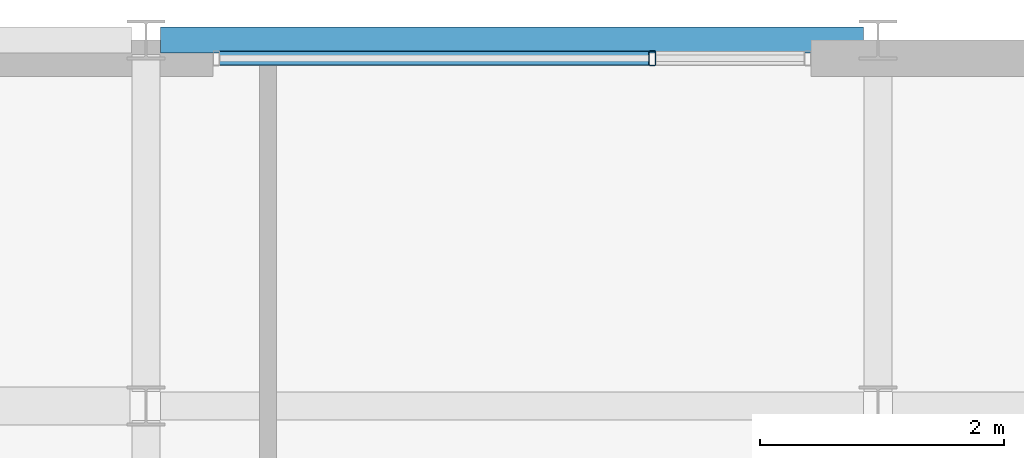
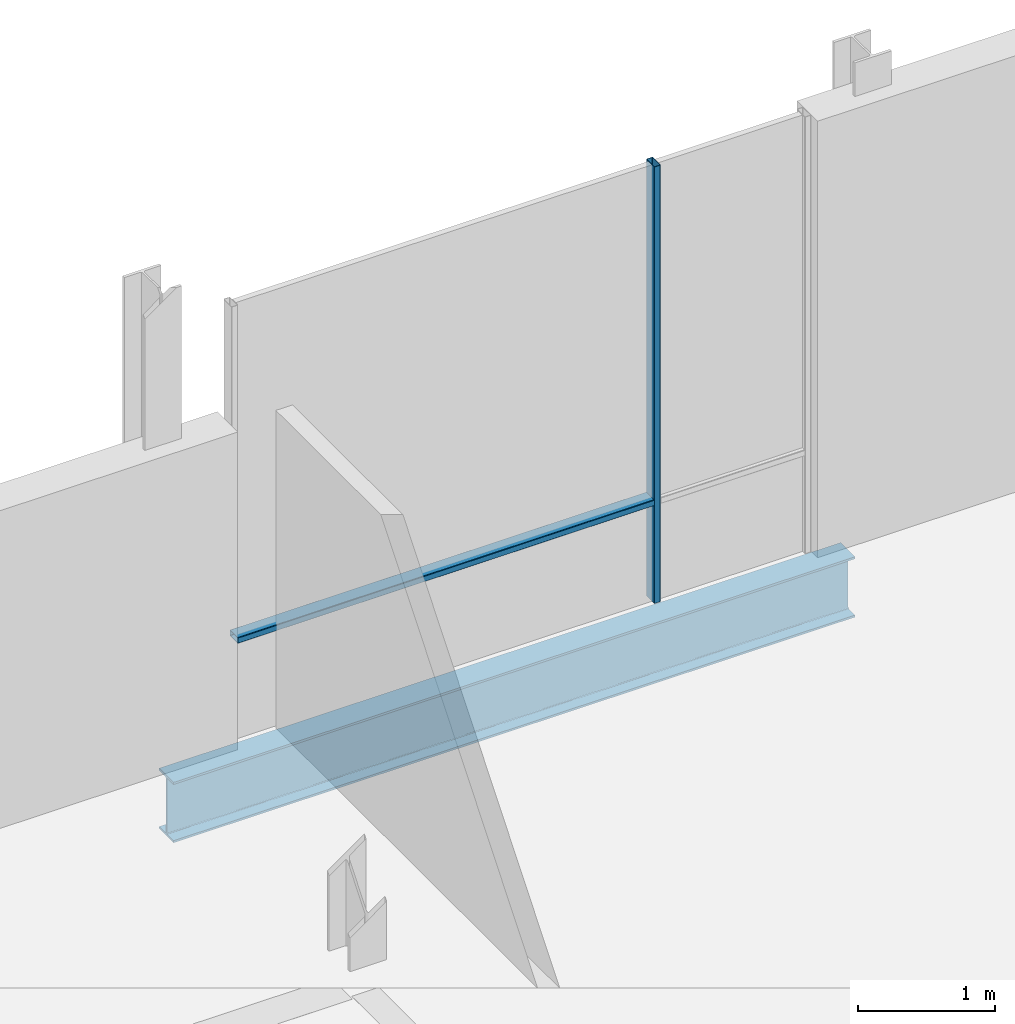
# One storey, part 5 of 11: 2 members, 1 beam, 1 element without a shape of its own.
"""IFC4 building model written with IfcOpenShell, lengths in metres."""

from ifc_helpers import new_model, si_unit, direction, frame, origin, origin_2d, place, context, subcontext, project, spatial, hollow_rectangle, i_section, extrude, material, layer, layer_set, material_profile, profile_set, type_object, element, aggregate, save


model = new_model("IFC4")

# Units and contexts
model_context = context("Model", 3, precision=1e-05, world=origin(), true_north=direction((0.0, 1.0)))
body_context = subcontext(model_context, "Body", "Model", "MODEL_VIEW")
ifc_project = project(units=[si_unit("LENGTHUNIT", "METRE"), si_unit("AREAUNIT", "SQUARE_METRE"), si_unit("VOLUMEUNIT", "CUBIC_METRE"), si_unit("PLANEANGLEUNIT", "RADIAN"), si_unit("MASSUNIT", "GRAM", prefix="KILO")], contexts=[model_context])

# Site, building, storey
site_placement = place(None, origin())
site = spatial("IfcSite", under=ifc_project, at=site_placement, CompositionType="ELEMENT")
building_placement = place(site_placement, origin())
building = spatial("IfcBuilding", under=site, at=building_placement, Name="Brevholm Reach", CompositionType="ELEMENT")
storey_placement = place(building_placement, frame((0.0, 0.0, 247.25)))
storey = spatial("IfcBuildingStorey", under=building, at=storey_placement, Name="L75", CompositionType="ELEMENT", Elevation=247.25)

# Beam
ifc_material_1 = material(Name="Structural Steel S355J2", Category="steel")
ifc_material_profile_1 = material_profile(ifc_material_1, i_section(OverallWidth=0.210693359375, OverallDepth=0.53955078125, WebThickness=0.01171875, FlangeThickness=0.018798828125, FilletRadius=0.0126953125, at=origin_2d()), Name="UKB 533x210x109")
ifc_profile_set_1 = profile_set([ifc_material_profile_1], Name="Structural Steel S355J2")
beam_type = type_object("IfcBeamType", Name="BM-SP539", PredefinedType="SPANDREL", material=ifc_profile_set_1)
beam_placement = place(storey_placement, frame((48.1201171875, 26.5, -0.52978515625), z_axis=(1.0, 0.0, 0.0), x_axis=(0.0, 1.0, 0.0)))
element("IfcBeam", 1, at=beam_placement, inside=storey, type_object=beam_type, Name="L75 SP-01B Framing Beam", PredefinedType="SPANDREL", context=body_context, shape_type="SweptSolid", body=[
    extrude(i_section(OverallWidth=0.210693359375, OverallDepth=0.53955078125, WebThickness=0.01171875, FlangeThickness=0.018798828125, FilletRadius=0.0126953125, at=origin_2d()), origin(), (0.0, 0.0, 1.0), 5.759765625),
])

# Curtain wall, members
ifc_material_2 = material(Name="Dark Anodised Aluminium 6063-T6 and Solar-Control Glass", Category="aluminium")
ifc_layer = layer(ifc_material_2, 0.1201171875)
ifc_layer_set = layer_set([ifc_layer], Name="Dark Anodised Aluminium 6063-T6 and Solar-Control Glass")
curtain_wall_type = type_object("IfcCurtainWallType", Name="CW-06", PredefinedType="NOTDEFINED", material=ifc_layer_set)
curtain_wall_placement = place(storey_placement, origin())
curtain_wall = element("IfcCurtainWall", 2, at=curtain_wall_placement, inside=storey, type_object=curtain_wall_type, Name="L75 Curtain Wall CW-06", PredefinedType="NOTDEFINED")
ifc_material_3 = material(Name="Dark Anodised Aluminium 6063-T6", Category="aluminium")
ifc_material_profile_2 = material_profile(ifc_material_3, hollow_rectangle(XDim=0.054931640625, YDim=0.1201171875, WallThickness=0.00390625, InnerFilletRadius=0.00390625, OuterFilletRadius=0.008056640625, at=origin_2d()), Name="RHS 120x55x4")
ifc_profile_set_2 = profile_set([ifc_material_profile_2], Name="Dark Anodised Aluminium 6063-T6")
member_type_1 = type_object("IfcMemberType", Name="CWM-120", PredefinedType="MULLION", material=ifc_profile_set_2)
member_1_placement = place(storey_placement, frame((52.14990234375, 26.35009765625, 0.0), z_axis=(0.0, 0.0, 1.0), x_axis=(1.0, 0.0, 0.0)))
member_1 = element("IfcMember", 3, at=member_1_placement, type_object=member_type_1, Name="CM-120 Mullion 2", PredefinedType="MULLION", context=body_context, shape_type="SweptSolid", body=[
    extrude(hollow_rectangle(XDim=0.054931640625, YDim=0.1201171875, WallThickness=0.00390625, InnerFilletRadius=0.00390625, OuterFilletRadius=0.008056640625, at=origin_2d()), origin(), (0.0, 0.0, 1.0), 3.89990234375),
])
ifc_material_4 = material(Name="Dark Anodised Aluminium 6063-T6", Category="aluminium")
ifc_material_profile_3 = material_profile(ifc_material_4, hollow_rectangle(XDim=0.054931640625, YDim=0.1201171875, WallThickness=0.00390625, InnerFilletRadius=0.00390625, OuterFilletRadius=0.008056640625, at=origin_2d()), Name="RHS 120x55x4")
ifc_profile_set_3 = profile_set([ifc_material_profile_3], Name="Dark Anodised Aluminium 6063-T6")
member_type_2 = type_object("IfcMemberType", Name="CWT-120", PredefinedType="NOTDEFINED", material=ifc_profile_set_3)
member_2_placement = place(storey_placement, frame((48.60498046875, 26.35009765625, 0.89990234375), z_axis=(1.0, 0.0, 0.0), x_axis=(0.0, 0.0, 1.0)))
member_2 = element("IfcMember", 4, at=member_2_placement, type_object=member_type_2, Name="CT-120 Transom 1.1", ObjectType="TRANSOM", PredefinedType="USERDEFINED", context=body_context, shape_type="SweptSolid", body=[
    extrude(hollow_rectangle(XDim=0.054931640625, YDim=0.1201171875, WallThickness=0.00390625, InnerFilletRadius=0.00390625, OuterFilletRadius=0.008056640625, at=origin_2d()), origin(), (0.0, 0.0, 1.0), 3.517578125),
])
aggregate(curtain_wall, [member_1, member_2])

save(model, "model.ifc")
